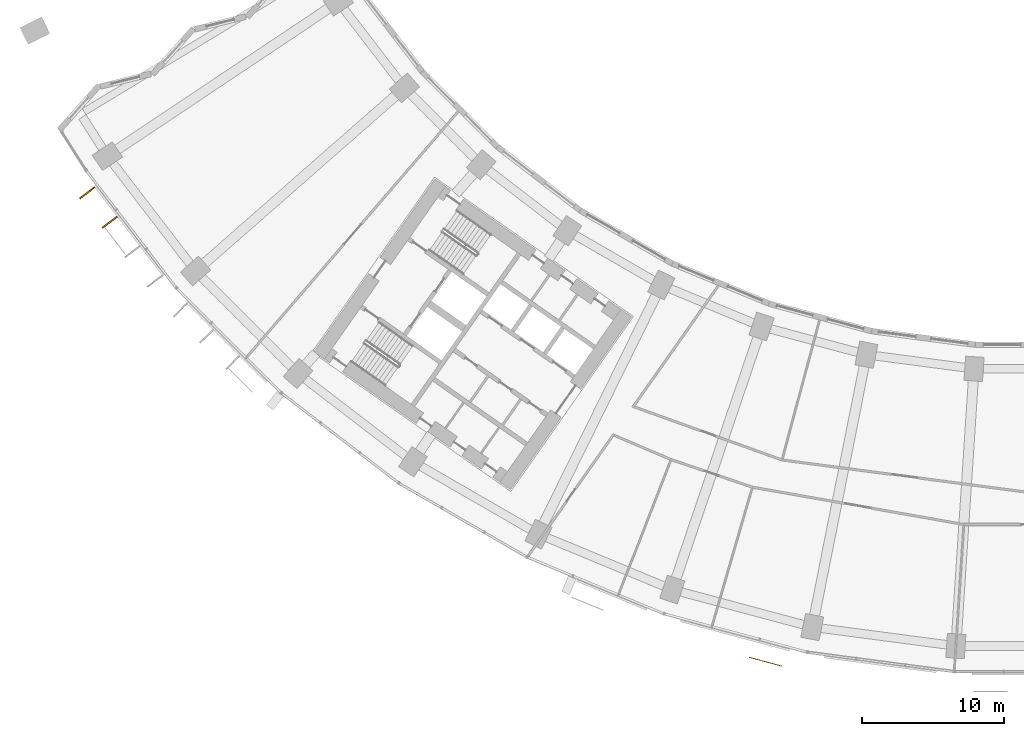
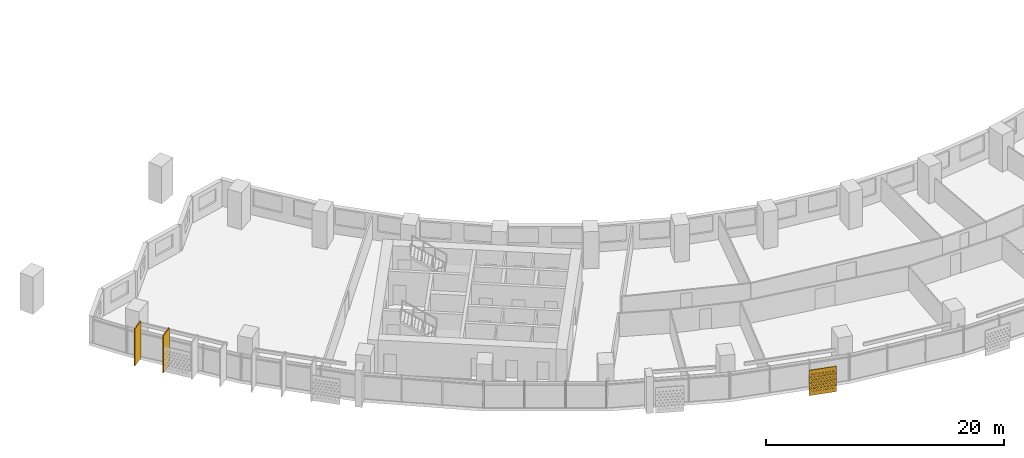
# One storey, part 26 of 31: 3 shading devices.
"""IFC4 building model written with IfcOpenShell, lengths in metres."""

from ifc_helpers import new_model, si_unit, direction, frame, origin, origin_2d, place, context, subcontext, project, spatial, polyline, rectangle, outline, extrude, material, material_profile, profile_set, type_object, element, save


model = new_model("IFC4")

# Units and contexts
model_context = context("Model", 3, precision=1e-05, world=origin(), true_north=direction((0.0, 1.0)))
body_context = subcontext(model_context, "Body", "Model", "MODEL_VIEW")
ifc_project = project(units=[si_unit("LENGTHUNIT", "METRE"), si_unit("AREAUNIT", "SQUARE_METRE"), si_unit("VOLUMEUNIT", "CUBIC_METRE"), si_unit("PLANEANGLEUNIT", "RADIAN"), si_unit("MASSUNIT", "GRAM", prefix="KILO")], contexts=[model_context])

# Site, building, storey
site_placement = place(None, origin())
site = spatial("IfcSite", under=ifc_project, at=site_placement, CompositionType="ELEMENT")
building_placement = place(site_placement, origin())
building = spatial("IfcBuilding", under=site, at=building_placement, Name="Qamariyya Broadcast Tower", CompositionType="ELEMENT")
storey_placement = place(building_placement, frame((0.0, 0.0, 82.300048828125)))
storey = spatial("IfcBuildingStorey", under=building, at=storey_placement, Name="L17", CompositionType="ELEMENT", Elevation=82.300048828125)

# Shading devices
ifc_material_1 = material(Name="Perforated glazed terracotta", Category="masonry")
ifc_material_profile_1 = material_profile(ifc_material_1, outline(polyline([(-1.199951171875, -1.300048828125), (1.199951171875, -1.300048828125), (1.199951171875, 1.300048828125), (-1.199951171875, 1.300048828125), (-1.199951171875, -1.300048828125)]), holes=[polyline([(-0.81494140625, -0.86669921875), (-0.89990234375, -0.78173828125), (-0.985107421875, -0.86669921875), (-0.89990234375, -0.95166015625), (-0.81494140625, -0.86669921875)]), polyline([(-0.514892578125, -0.86669921875), (-0.60009765625, -0.78173828125), (-0.68505859375, -0.86669921875), (-0.60009765625, -0.95166015625), (-0.514892578125, -0.86669921875)]), polyline([(-0.215087890625, -0.86669921875), (-0.300048828125, -0.78173828125), (-0.385009765625, -0.86669921875), (-0.300048828125, -0.95166015625), (-0.215087890625, -0.86669921875)]), polyline([(0.0849609375, -0.86669921875), (0.0, -0.78173828125), (-0.0849609375, -0.86669921875), (0.0, -0.95166015625), (0.0849609375, -0.86669921875)]), polyline([(0.385009765625, -0.86669921875), (0.300048828125, -0.78173828125), (0.215087890625, -0.86669921875), (0.300048828125, -0.95166015625), (0.385009765625, -0.86669921875)]), polyline([(0.68505859375, -0.86669921875), (0.60009765625, -0.78173828125), (0.514892578125, -0.86669921875), (0.60009765625, -0.95166015625), (0.68505859375, -0.86669921875)]), polyline([(0.985107421875, -0.86669921875), (0.89990234375, -0.78173828125), (0.81494140625, -0.86669921875), (0.89990234375, -0.95166015625), (0.985107421875, -0.86669921875)]), polyline([(-0.965087890625, -0.577880859375), (-1.050048828125, -0.49267578125), (-1.135009765625, -0.577880859375), (-1.050048828125, -0.662841796875), (-0.965087890625, -0.577880859375)]), polyline([(-0.6650390625, -0.577880859375), (-0.75, -0.49267578125), (-0.8349609375, -0.577880859375), (-0.75, -0.662841796875), (-0.6650390625, -0.577880859375)]), polyline([(-0.364990234375, -0.577880859375), (-0.449951171875, -0.49267578125), (-0.534912109375, -0.577880859375), (-0.449951171875, -0.662841796875), (-0.364990234375, -0.577880859375)]), polyline([(-0.06494140625, -0.577880859375), (-0.14990234375, -0.49267578125), (-0.235107421875, -0.577880859375), (-0.14990234375, -0.662841796875), (-0.06494140625, -0.577880859375)]), polyline([(0.235107421875, -0.577880859375), (0.14990234375, -0.49267578125), (0.06494140625, -0.577880859375), (0.14990234375, -0.662841796875), (0.235107421875, -0.577880859375)]), polyline([(0.534912109375, -0.577880859375), (0.449951171875, -0.49267578125), (0.364990234375, -0.577880859375), (0.449951171875, -0.662841796875), (0.534912109375, -0.577880859375)]), polyline([(0.8349609375, -0.577880859375), (0.75, -0.49267578125), (0.6650390625, -0.577880859375), (0.75, -0.662841796875), (0.8349609375, -0.577880859375)]), polyline([(1.135009765625, -0.577880859375), (1.050048828125, -0.49267578125), (0.965087890625, -0.577880859375), (1.050048828125, -0.662841796875), (1.135009765625, -0.577880859375)]), polyline([(-0.81494140625, -0.288818359375), (-0.89990234375, -0.203857421875), (-0.985107421875, -0.288818359375), (-0.89990234375, -0.373779296875), (-0.81494140625, -0.288818359375)]), polyline([(-0.514892578125, -0.288818359375), (-0.60009765625, -0.203857421875), (-0.68505859375, -0.288818359375), (-0.60009765625, -0.373779296875), (-0.514892578125, -0.288818359375)]), polyline([(-0.215087890625, -0.288818359375), (-0.300048828125, -0.203857421875), (-0.385009765625, -0.288818359375), (-0.300048828125, -0.373779296875), (-0.215087890625, -0.288818359375)]), polyline([(0.0849609375, -0.288818359375), (0.0, -0.203857421875), (-0.0849609375, -0.288818359375), (0.0, -0.373779296875), (0.0849609375, -0.288818359375)]), polyline([(0.385009765625, -0.288818359375), (0.300048828125, -0.203857421875), (0.215087890625, -0.288818359375), (0.300048828125, -0.373779296875), (0.385009765625, -0.288818359375)]), polyline([(0.68505859375, -0.288818359375), (0.60009765625, -0.203857421875), (0.514892578125, -0.288818359375), (0.60009765625, -0.373779296875), (0.68505859375, -0.288818359375)]), polyline([(0.985107421875, -0.288818359375), (0.89990234375, -0.203857421875), (0.81494140625, -0.288818359375), (0.89990234375, -0.373779296875), (0.985107421875, -0.288818359375)]), polyline([(-0.965087890625, 0.0), (-1.050048828125, 0.0849609375), (-1.135009765625, 0.0), (-1.050048828125, -0.0849609375), (-0.965087890625, 0.0)]), polyline([(-0.6650390625, 0.0), (-0.75, 0.0849609375), (-0.8349609375, 0.0), (-0.75, -0.0849609375), (-0.6650390625, 0.0)]), polyline([(-0.364990234375, 0.0), (-0.449951171875, 0.0849609375), (-0.534912109375, 0.0), (-0.449951171875, -0.0849609375), (-0.364990234375, 0.0)]), polyline([(-0.06494140625, 0.0), (-0.14990234375, 0.0849609375), (-0.235107421875, 0.0), (-0.14990234375, -0.0849609375), (-0.06494140625, 0.0)]), polyline([(0.235107421875, 0.0), (0.14990234375, 0.0849609375), (0.06494140625, 0.0), (0.14990234375, -0.0849609375), (0.235107421875, 0.0)]), polyline([(0.534912109375, 0.0), (0.449951171875, 0.0849609375), (0.364990234375, 0.0), (0.449951171875, -0.0849609375), (0.534912109375, 0.0)]), polyline([(0.8349609375, 0.0), (0.75, 0.0849609375), (0.6650390625, 0.0), (0.75, -0.0849609375), (0.8349609375, 0.0)]), polyline([(1.135009765625, 0.0), (1.050048828125, 0.0849609375), (0.965087890625, 0.0), (1.050048828125, -0.0849609375), (1.135009765625, 0.0)]), polyline([(-0.81494140625, 0.288818359375), (-0.89990234375, 0.373779296875), (-0.985107421875, 0.288818359375), (-0.89990234375, 0.203857421875), (-0.81494140625, 0.288818359375)]), polyline([(-0.514892578125, 0.288818359375), (-0.60009765625, 0.373779296875), (-0.68505859375, 0.288818359375), (-0.60009765625, 0.203857421875), (-0.514892578125, 0.288818359375)]), polyline([(-0.215087890625, 0.288818359375), (-0.300048828125, 0.373779296875), (-0.385009765625, 0.288818359375), (-0.300048828125, 0.203857421875), (-0.215087890625, 0.288818359375)]), polyline([(0.0849609375, 0.288818359375), (0.0, 0.373779296875), (-0.0849609375, 0.288818359375), (0.0, 0.203857421875), (0.0849609375, 0.288818359375)]), polyline([(0.385009765625, 0.288818359375), (0.300048828125, 0.373779296875), (0.215087890625, 0.288818359375), (0.300048828125, 0.203857421875), (0.385009765625, 0.288818359375)]), polyline([(0.68505859375, 0.288818359375), (0.60009765625, 0.373779296875), (0.514892578125, 0.288818359375), (0.60009765625, 0.203857421875), (0.68505859375, 0.288818359375)]), polyline([(0.985107421875, 0.288818359375), (0.89990234375, 0.373779296875), (0.81494140625, 0.288818359375), (0.89990234375, 0.203857421875), (0.985107421875, 0.288818359375)]), polyline([(-0.965087890625, 0.577880859375), (-1.050048828125, 0.662841796875), (-1.135009765625, 0.577880859375), (-1.050048828125, 0.49267578125), (-0.965087890625, 0.577880859375)]), polyline([(-0.6650390625, 0.577880859375), (-0.75, 0.662841796875), (-0.8349609375, 0.577880859375), (-0.75, 0.49267578125), (-0.6650390625, 0.577880859375)]), polyline([(-0.364990234375, 0.577880859375), (-0.449951171875, 0.662841796875), (-0.534912109375, 0.577880859375), (-0.449951171875, 0.49267578125), (-0.364990234375, 0.577880859375)]), polyline([(-0.06494140625, 0.577880859375), (-0.14990234375, 0.662841796875), (-0.235107421875, 0.577880859375), (-0.14990234375, 0.49267578125), (-0.06494140625, 0.577880859375)]), polyline([(0.235107421875, 0.577880859375), (0.14990234375, 0.662841796875), (0.06494140625, 0.577880859375), (0.14990234375, 0.49267578125), (0.235107421875, 0.577880859375)]), polyline([(0.534912109375, 0.577880859375), (0.449951171875, 0.662841796875), (0.364990234375, 0.577880859375), (0.449951171875, 0.49267578125), (0.534912109375, 0.577880859375)]), polyline([(0.8349609375, 0.577880859375), (0.75, 0.662841796875), (0.6650390625, 0.577880859375), (0.75, 0.49267578125), (0.8349609375, 0.577880859375)]), polyline([(1.135009765625, 0.577880859375), (1.050048828125, 0.662841796875), (0.965087890625, 0.577880859375), (1.050048828125, 0.49267578125), (1.135009765625, 0.577880859375)]), polyline([(-0.81494140625, 0.86669921875), (-0.89990234375, 0.95166015625), (-0.985107421875, 0.86669921875), (-0.89990234375, 0.78173828125), (-0.81494140625, 0.86669921875)]), polyline([(-0.514892578125, 0.86669921875), (-0.60009765625, 0.95166015625), (-0.68505859375, 0.86669921875), (-0.60009765625, 0.78173828125), (-0.514892578125, 0.86669921875)]), polyline([(-0.215087890625, 0.86669921875), (-0.300048828125, 0.95166015625), (-0.385009765625, 0.86669921875), (-0.300048828125, 0.78173828125), (-0.215087890625, 0.86669921875)]), polyline([(0.0849609375, 0.86669921875), (0.0, 0.95166015625), (-0.0849609375, 0.86669921875), (0.0, 0.78173828125), (0.0849609375, 0.86669921875)]), polyline([(0.385009765625, 0.86669921875), (0.300048828125, 0.95166015625), (0.215087890625, 0.86669921875), (0.300048828125, 0.78173828125), (0.385009765625, 0.86669921875)]), polyline([(0.68505859375, 0.86669921875), (0.60009765625, 0.95166015625), (0.514892578125, 0.86669921875), (0.60009765625, 0.78173828125), (0.68505859375, 0.86669921875)]), polyline([(0.985107421875, 0.86669921875), (0.89990234375, 0.95166015625), (0.81494140625, 0.86669921875), (0.89990234375, 0.78173828125), (0.985107421875, 0.86669921875)])]))
ifc_profile_set_1 = profile_set([ifc_material_profile_1], Name="Perforated glazed terracotta")
shading_device_type_1 = type_object("IfcShadingDeviceType", Name="Perforated terracotta screen 2400 x 2600", PredefinedType="USERDEFINED", material=ifc_profile_set_1)
shading_device_placement = place(storey_placement, frame((-18.43408203125, -78.65869140625, 1.349853515625), z_axis=(-0.260703819255, -0.965418830677, 0.0), x_axis=(0.965418830677, -0.260703819255, 0.0)))
element("IfcShadingDevice", 1, at=shading_device_placement, inside=storey, type_object=shading_device_type_1, Name="e-scr-L17-06-2", ObjectType="SCREEN", PredefinedType="USERDEFINED", context=body_context, shape_type="SweptSolid", body=[
    extrude(outline(polyline([(-1.199951171875, -1.300048828125), (1.199951171875, -1.300048828125), (1.199951171875, 1.300048828125), (-1.199951171875, 1.300048828125), (-1.199951171875, -1.300048828125)]), holes=[polyline([(-0.81494140625, -0.86669921875), (-0.89990234375, -0.78173828125), (-0.985107421875, -0.86669921875), (-0.89990234375, -0.95166015625), (-0.81494140625, -0.86669921875)]), polyline([(-0.514892578125, -0.86669921875), (-0.60009765625, -0.78173828125), (-0.68505859375, -0.86669921875), (-0.60009765625, -0.95166015625), (-0.514892578125, -0.86669921875)]), polyline([(-0.215087890625, -0.86669921875), (-0.300048828125, -0.78173828125), (-0.385009765625, -0.86669921875), (-0.300048828125, -0.95166015625), (-0.215087890625, -0.86669921875)]), polyline([(0.0849609375, -0.86669921875), (0.0, -0.78173828125), (-0.0849609375, -0.86669921875), (0.0, -0.95166015625), (0.0849609375, -0.86669921875)]), polyline([(0.385009765625, -0.86669921875), (0.300048828125, -0.78173828125), (0.215087890625, -0.86669921875), (0.300048828125, -0.95166015625), (0.385009765625, -0.86669921875)]), polyline([(0.68505859375, -0.86669921875), (0.60009765625, -0.78173828125), (0.514892578125, -0.86669921875), (0.60009765625, -0.95166015625), (0.68505859375, -0.86669921875)]), polyline([(0.985107421875, -0.86669921875), (0.89990234375, -0.78173828125), (0.81494140625, -0.86669921875), (0.89990234375, -0.95166015625), (0.985107421875, -0.86669921875)]), polyline([(-0.965087890625, -0.577880859375), (-1.050048828125, -0.49267578125), (-1.135009765625, -0.577880859375), (-1.050048828125, -0.662841796875), (-0.965087890625, -0.577880859375)]), polyline([(-0.6650390625, -0.577880859375), (-0.75, -0.49267578125), (-0.8349609375, -0.577880859375), (-0.75, -0.662841796875), (-0.6650390625, -0.577880859375)]), polyline([(-0.364990234375, -0.577880859375), (-0.449951171875, -0.49267578125), (-0.534912109375, -0.577880859375), (-0.449951171875, -0.662841796875), (-0.364990234375, -0.577880859375)]), polyline([(-0.06494140625, -0.577880859375), (-0.14990234375, -0.49267578125), (-0.235107421875, -0.577880859375), (-0.14990234375, -0.662841796875), (-0.06494140625, -0.577880859375)]), polyline([(0.235107421875, -0.577880859375), (0.14990234375, -0.49267578125), (0.06494140625, -0.577880859375), (0.14990234375, -0.662841796875), (0.235107421875, -0.577880859375)]), polyline([(0.534912109375, -0.577880859375), (0.449951171875, -0.49267578125), (0.364990234375, -0.577880859375), (0.449951171875, -0.662841796875), (0.534912109375, -0.577880859375)]), polyline([(0.8349609375, -0.577880859375), (0.75, -0.49267578125), (0.6650390625, -0.577880859375), (0.75, -0.662841796875), (0.8349609375, -0.577880859375)]), polyline([(1.135009765625, -0.577880859375), (1.050048828125, -0.49267578125), (0.965087890625, -0.577880859375), (1.050048828125, -0.662841796875), (1.135009765625, -0.577880859375)]), polyline([(-0.81494140625, -0.288818359375), (-0.89990234375, -0.203857421875), (-0.985107421875, -0.288818359375), (-0.89990234375, -0.373779296875), (-0.81494140625, -0.288818359375)]), polyline([(-0.514892578125, -0.288818359375), (-0.60009765625, -0.203857421875), (-0.68505859375, -0.288818359375), (-0.60009765625, -0.373779296875), (-0.514892578125, -0.288818359375)]), polyline([(-0.215087890625, -0.288818359375), (-0.300048828125, -0.203857421875), (-0.385009765625, -0.288818359375), (-0.300048828125, -0.373779296875), (-0.215087890625, -0.288818359375)]), polyline([(0.0849609375, -0.288818359375), (0.0, -0.203857421875), (-0.0849609375, -0.288818359375), (0.0, -0.373779296875), (0.0849609375, -0.288818359375)]), polyline([(0.385009765625, -0.288818359375), (0.300048828125, -0.203857421875), (0.215087890625, -0.288818359375), (0.300048828125, -0.373779296875), (0.385009765625, -0.288818359375)]), polyline([(0.68505859375, -0.288818359375), (0.60009765625, -0.203857421875), (0.514892578125, -0.288818359375), (0.60009765625, -0.373779296875), (0.68505859375, -0.288818359375)]), polyline([(0.985107421875, -0.288818359375), (0.89990234375, -0.203857421875), (0.81494140625, -0.288818359375), (0.89990234375, -0.373779296875), (0.985107421875, -0.288818359375)]), polyline([(-0.965087890625, 0.0), (-1.050048828125, 0.0849609375), (-1.135009765625, 0.0), (-1.050048828125, -0.0849609375), (-0.965087890625, 0.0)]), polyline([(-0.6650390625, 0.0), (-0.75, 0.0849609375), (-0.8349609375, 0.0), (-0.75, -0.0849609375), (-0.6650390625, 0.0)]), polyline([(-0.364990234375, 0.0), (-0.449951171875, 0.0849609375), (-0.534912109375, 0.0), (-0.449951171875, -0.0849609375), (-0.364990234375, 0.0)]), polyline([(-0.06494140625, 0.0), (-0.14990234375, 0.0849609375), (-0.235107421875, 0.0), (-0.14990234375, -0.0849609375), (-0.06494140625, 0.0)]), polyline([(0.235107421875, 0.0), (0.14990234375, 0.0849609375), (0.06494140625, 0.0), (0.14990234375, -0.0849609375), (0.235107421875, 0.0)]), polyline([(0.534912109375, 0.0), (0.449951171875, 0.0849609375), (0.364990234375, 0.0), (0.449951171875, -0.0849609375), (0.534912109375, 0.0)]), polyline([(0.8349609375, 0.0), (0.75, 0.0849609375), (0.6650390625, 0.0), (0.75, -0.0849609375), (0.8349609375, 0.0)]), polyline([(1.135009765625, 0.0), (1.050048828125, 0.0849609375), (0.965087890625, 0.0), (1.050048828125, -0.0849609375), (1.135009765625, 0.0)]), polyline([(-0.81494140625, 0.288818359375), (-0.89990234375, 0.373779296875), (-0.985107421875, 0.288818359375), (-0.89990234375, 0.203857421875), (-0.81494140625, 0.288818359375)]), polyline([(-0.514892578125, 0.288818359375), (-0.60009765625, 0.373779296875), (-0.68505859375, 0.288818359375), (-0.60009765625, 0.203857421875), (-0.514892578125, 0.288818359375)]), polyline([(-0.215087890625, 0.288818359375), (-0.300048828125, 0.373779296875), (-0.385009765625, 0.288818359375), (-0.300048828125, 0.203857421875), (-0.215087890625, 0.288818359375)]), polyline([(0.0849609375, 0.288818359375), (0.0, 0.373779296875), (-0.0849609375, 0.288818359375), (0.0, 0.203857421875), (0.0849609375, 0.288818359375)]), polyline([(0.385009765625, 0.288818359375), (0.300048828125, 0.373779296875), (0.215087890625, 0.288818359375), (0.300048828125, 0.203857421875), (0.385009765625, 0.288818359375)]), polyline([(0.68505859375, 0.288818359375), (0.60009765625, 0.373779296875), (0.514892578125, 0.288818359375), (0.60009765625, 0.203857421875), (0.68505859375, 0.288818359375)]), polyline([(0.985107421875, 0.288818359375), (0.89990234375, 0.373779296875), (0.81494140625, 0.288818359375), (0.89990234375, 0.203857421875), (0.985107421875, 0.288818359375)]), polyline([(-0.965087890625, 0.577880859375), (-1.050048828125, 0.662841796875), (-1.135009765625, 0.577880859375), (-1.050048828125, 0.49267578125), (-0.965087890625, 0.577880859375)]), polyline([(-0.6650390625, 0.577880859375), (-0.75, 0.662841796875), (-0.8349609375, 0.577880859375), (-0.75, 0.49267578125), (-0.6650390625, 0.577880859375)]), polyline([(-0.364990234375, 0.577880859375), (-0.449951171875, 0.662841796875), (-0.534912109375, 0.577880859375), (-0.449951171875, 0.49267578125), (-0.364990234375, 0.577880859375)]), polyline([(-0.06494140625, 0.577880859375), (-0.14990234375, 0.662841796875), (-0.235107421875, 0.577880859375), (-0.14990234375, 0.49267578125), (-0.06494140625, 0.577880859375)]), polyline([(0.235107421875, 0.577880859375), (0.14990234375, 0.662841796875), (0.06494140625, 0.577880859375), (0.14990234375, 0.49267578125), (0.235107421875, 0.577880859375)]), polyline([(0.534912109375, 0.577880859375), (0.449951171875, 0.662841796875), (0.364990234375, 0.577880859375), (0.449951171875, 0.49267578125), (0.534912109375, 0.577880859375)]), polyline([(0.8349609375, 0.577880859375), (0.75, 0.662841796875), (0.6650390625, 0.577880859375), (0.75, 0.49267578125), (0.8349609375, 0.577880859375)]), polyline([(1.135009765625, 0.577880859375), (1.050048828125, 0.662841796875), (0.965087890625, 0.577880859375), (1.050048828125, 0.49267578125), (1.135009765625, 0.577880859375)]), polyline([(-0.81494140625, 0.86669921875), (-0.89990234375, 0.95166015625), (-0.985107421875, 0.86669921875), (-0.89990234375, 0.78173828125), (-0.81494140625, 0.86669921875)]), polyline([(-0.514892578125, 0.86669921875), (-0.60009765625, 0.95166015625), (-0.68505859375, 0.86669921875), (-0.60009765625, 0.78173828125), (-0.514892578125, 0.86669921875)]), polyline([(-0.215087890625, 0.86669921875), (-0.300048828125, 0.95166015625), (-0.385009765625, 0.86669921875), (-0.300048828125, 0.78173828125), (-0.215087890625, 0.86669921875)]), polyline([(0.0849609375, 0.86669921875), (0.0, 0.95166015625), (-0.0849609375, 0.86669921875), (0.0, 0.78173828125), (0.0849609375, 0.86669921875)]), polyline([(0.385009765625, 0.86669921875), (0.300048828125, 0.95166015625), (0.215087890625, 0.86669921875), (0.300048828125, 0.78173828125), (0.385009765625, 0.86669921875)]), polyline([(0.68505859375, 0.86669921875), (0.60009765625, 0.95166015625), (0.514892578125, 0.86669921875), (0.60009765625, 0.78173828125), (0.68505859375, 0.86669921875)]), polyline([(0.985107421875, 0.86669921875), (0.89990234375, 0.95166015625), (0.81494140625, 0.86669921875), (0.89990234375, 0.78173828125), (0.985107421875, 0.86669921875)])]), origin(), (0.0, 0.0, 1.0), 0.059814453125),
])
ifc_material_2 = material(Name="Glazed terracotta", Category="masonry")
ifc_material_profile_2 = material_profile(ifc_material_2, rectangle(XDim=1.300048828125, YDim=0.10009765625, at=origin_2d()))
ifc_profile_set_2 = profile_set([ifc_material_profile_2], Name="Glazed terracotta")
shading_device_type_2 = type_object("IfcShadingDeviceType", Name="Terracotta fin 100 x 1300", PredefinedType="USERDEFINED", material=ifc_profile_set_2)
for number, where, z_axis, x_axis, name in (
    (2, (-66.068359375, -45.771484375, 0.0), (0.0, 0.0, 1.0), (-0.793353340291, -0.608761429009, 0.0), "e-fin-L17-01-0"),
    (3, (-64.48291015625, -47.837890625, 0.0), (0.0, 0.0, 1.0), (-0.793353340291, -0.608761429009, 0.0), "e-fin-L17-01-1"),
):
    element("IfcShadingDevice", number, at=place(storey_placement, frame(where, z_axis=z_axis, x_axis=x_axis)), inside=storey, type_object=shading_device_type_2, Name=name, ObjectType="FIN", PredefinedType="USERDEFINED", context=body_context, shape_type="SweptSolid", body=[
        extrude(rectangle(XDim=1.300048828125, YDim=0.10009765625, at=origin_2d()), origin(), (0.0, 0.0, 1.0), 3.800048828125),
    ])

save(model, "model.ifc")
